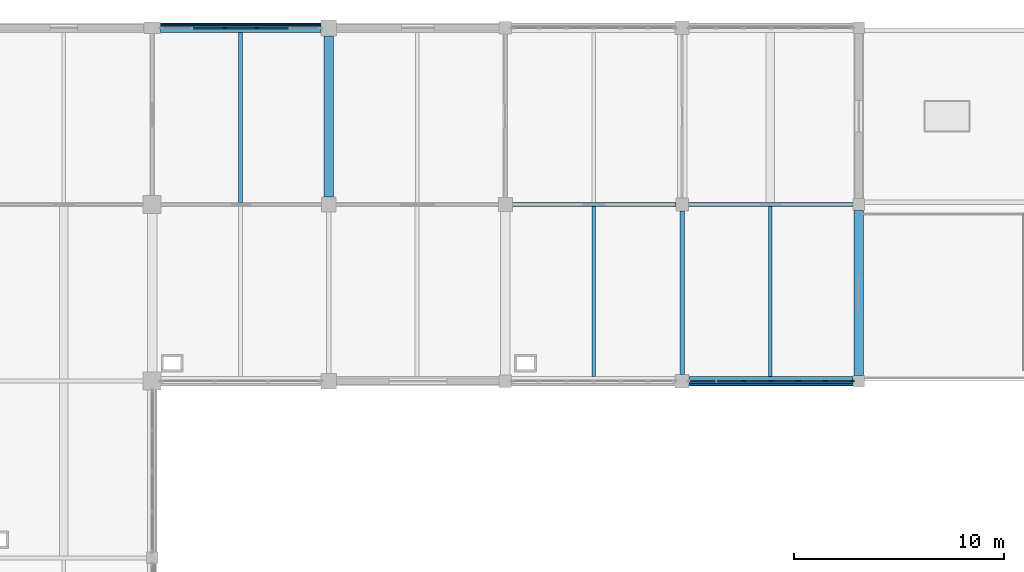
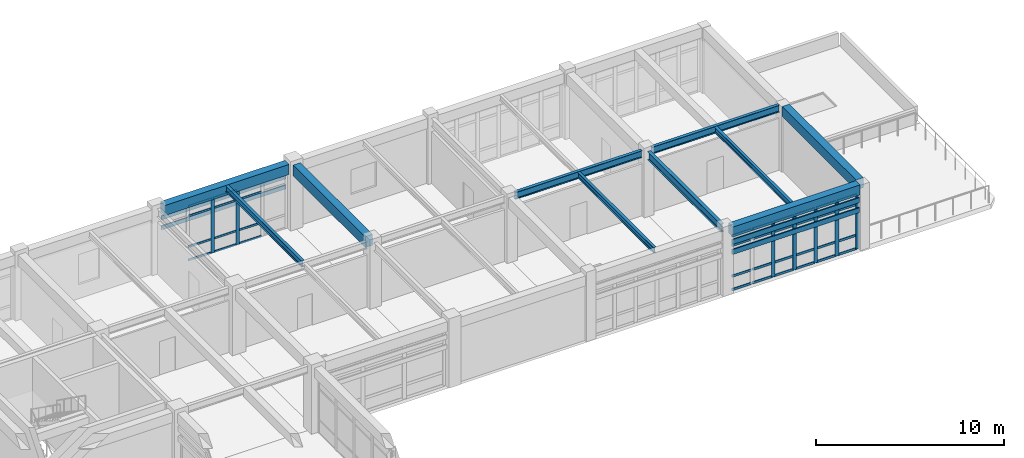
# One storey, part 39 of 78: 46 members, 10 beams, 2 elements without a shape of their own.
"""IFC4 building model written with IfcOpenShell, lengths in metres."""

from ifc_helpers import new_model, si_unit, direction, frame, origin, origin_2d, place, context, subcontext, project, spatial, rectangle, i_section, extrude, material, layer, layer_set, material_profile, profile_set, type_object, element, aggregate, save


model = new_model("IFC4")

# Units and contexts
model_context = context("Model", 3, precision=1e-05, world=origin(), true_north=direction((0.0, 1.0)))
body_context = subcontext(model_context, "Body", "Model", "MODEL_VIEW")
ifc_project = project(units=[si_unit("LENGTHUNIT", "METRE"), si_unit("AREAUNIT", "SQUARE_METRE"), si_unit("VOLUMEUNIT", "CUBIC_METRE"), si_unit("PLANEANGLEUNIT", "RADIAN"), si_unit("MASSUNIT", "GRAM", prefix="KILO")], contexts=[model_context])

# Site, building, storey
site_placement = place(None, origin())
site = spatial("IfcSite", under=ifc_project, at=site_placement, CompositionType="ELEMENT")
building_placement = place(site_placement, origin())
building = spatial("IfcBuilding", under=site, at=building_placement, Name="Porcellanite Civic Hall", CompositionType="ELEMENT")
storey_placement = place(building_placement, frame((0.0, 0.0, 10.260009765625)))
storey = spatial("IfcBuildingStorey", under=building, at=storey_placement, Name="L02", CompositionType="ELEMENT", Elevation=10.260009765625)

# Beams
ifc_material_1 = material(Name="Concrete N50 (50 MPa)", Category="concrete")
ifc_material_profile_1 = material_profile(ifc_material_1, rectangle(XDim=0.449951171875, YDim=0.64990234375, at=origin_2d()), Name="RC-450x650")
ifc_profile_set_1 = profile_set([ifc_material_profile_1], Name="Concrete N50 (50 MPa)")
beam_type_1 = type_object("IfcBeamType", Name="BM-RC650", PredefinedType="SPANDREL", material=ifc_profile_set_1)
beam_1_placement = place(storey_placement, frame((126.3994140625, 117.60009765625, 3.9150390625), z_axis=(1.0, 0.0, 0.0), x_axis=(0.0, 1.0, 0.0)))
element("IfcBeam", 1, at=beam_1_placement, inside=storey, type_object=beam_type_1, Name="Beam X L02 16-15", PredefinedType="SPANDREL", context=body_context, shape_type="SweptSolid", body=[
    extrude(rectangle(XDim=0.449951171875, YDim=0.64990234375, at=origin_2d()), origin(), (0.0, 0.0, 1.0), 7.6259765625),
])
beam_2_placement = place(storey_placement, frame((151.5244140625, 100.800048828125, 3.9150390625), z_axis=(1.0, 0.0, 0.0), x_axis=(0.0, 1.0, 0.0)))
element("IfcBeam", 2, at=beam_2_placement, inside=storey, type_object=beam_type_1, Name="Beam X L02 19-13", PredefinedType="SPANDREL", context=body_context, shape_type="SweptSolid", body=[
    extrude(rectangle(XDim=0.449951171875, YDim=0.64990234375, at=origin_2d()), origin(), (0.0, 0.0, 1.0), 7.801025390625),
])
beam_3_placement = place(storey_placement, frame((159.60009765625, 101.074462890625, 3.9150390625), z_axis=(0.0, 1.0, 0.0), x_axis=(-1.0, 0.0, 0.0)))
element("IfcBeam", 3, at=beam_3_placement, inside=storey, type_object=beam_type_1, Name="Beam Y L02 20-13", PredefinedType="SPANDREL", context=body_context, shape_type="SweptSolid", body=[
    extrude(rectangle(XDim=0.449951171875, YDim=0.64990234375, at=origin_2d()), origin(), (0.0, 0.0, 1.0), 7.85107421875),
])
ifc_material_2 = material(Name="Concrete N50 (50 MPa)", Category="concrete")
ifc_material_profile_2 = material_profile(ifc_material_2, rectangle(XDim=0.449951171875, YDim=0.699951171875, at=origin_2d()), Name="RC-450x700")
ifc_profile_set_2 = profile_set([ifc_material_profile_2], Name="Concrete N50 (50 MPa)")
beam_type_2 = type_object("IfcBeamType", Name="BM-RC700", PredefinedType="BEAM", material=ifc_profile_set_2)
beam_4_placement = place(storey_placement, frame((134.39990234375, 109.549560546875, 3.889892578125), z_axis=(0.0, 1.0, 0.0), x_axis=(-1.0, 0.0, 0.0)))
element("IfcBeam", 4, at=beam_4_placement, inside=storey, type_object=beam_type_2, Name="Beam Y L02 17-14", PredefinedType="BEAM", context=body_context, shape_type="SweptSolid", body=[
    extrude(rectangle(XDim=0.449951171875, YDim=0.699951171875, at=origin_2d()), origin(), (0.0, 0.0, 1.0), 7.676025390625),
])

# Curtain wall, members
ifc_material_3 = material(Name="Anodised aluminium and solar laminated glass", Category="aluminium")
ifc_layer_1 = layer(ifc_material_3, 0.179931640625)
ifc_layer_set_1 = layer_set([ifc_layer_1], Name="Anodised aluminium and solar laminated glass")
curtain_wall_type_1 = type_object("IfcCurtainWallType", Name="CW-SYS02", PredefinedType="NOTDEFINED", material=ifc_layer_set_1)
curtain_wall_1_placement = place(storey_placement, origin())
curtain_wall_1 = element("IfcCurtainWall", 5, at=curtain_wall_1_placement, inside=storey, type_object=curtain_wall_type_1, Name="Curtain wall CW-179", PredefinedType="NOTDEFINED")
ifc_material_4 = material(Name="Anodised aluminium 6063-T6", Category="aluminium")
ifc_material_profile_3 = material_profile(ifc_material_4, rectangle(XDim=0.074951171875, YDim=0.219970703125, at=origin_2d()), Name="AL-75x220")
ifc_profile_set_3 = profile_set([ifc_material_profile_3], Name="Anodised aluminium 6063-T6")
member_type_1 = type_object("IfcMemberType", Name="CWM-03", PredefinedType="MULLION", material=ifc_profile_set_3)
member_1_placement = place(storey_placement, frame((159.28662109375, 100.800048828125, 0.0), z_axis=(0.0, 0.0, 1.0), x_axis=(0.0, -1.0, 0.0)))
member_1 = element("IfcMember", 6, at=member_1_placement, type_object=member_type_1, Name="CW-179 mullion 1", PredefinedType="MULLION", context=body_context, shape_type="SweptSolid", body=[
    extrude(rectangle(XDim=0.074951171875, YDim=0.219970703125, at=origin_2d()), origin(), (0.0, 0.0, 1.0), 3.5400390625),
])
member_2_placement = place(storey_placement, frame((158.0244140625, 100.800048828125, 0.0), z_axis=(0.0, 0.0, 1.0), x_axis=(0.0, -1.0, 0.0)))
member_2 = element("IfcMember", 7, at=member_2_placement, type_object=member_type_1, Name="CW-179 mullion 2", PredefinedType="MULLION", context=body_context, shape_type="SweptSolid", body=[
    extrude(rectangle(XDim=0.074951171875, YDim=0.219970703125, at=origin_2d()), origin(), (0.0, 0.0, 1.0), 3.5400390625),
])
member_3_placement = place(storey_placement, frame((156.724609375, 100.800048828125, 0.0), z_axis=(0.0, 0.0, 1.0), x_axis=(0.0, -1.0, 0.0)))
member_3 = element("IfcMember", 8, at=member_3_placement, type_object=member_type_1, Name="CW-179 mullion 3", PredefinedType="MULLION", context=body_context, shape_type="SweptSolid", body=[
    extrude(rectangle(XDim=0.074951171875, YDim=0.219970703125, at=origin_2d()), origin(), (0.0, 0.0, 1.0), 3.5400390625),
])
member_4_placement = place(storey_placement, frame((155.425048828125, 100.800048828125, 0.0), z_axis=(0.0, 0.0, 1.0), x_axis=(0.0, -1.0, 0.0)))
member_4 = element("IfcMember", 9, at=member_4_placement, type_object=member_type_1, Name="CW-179 mullion 4", PredefinedType="MULLION", context=body_context, shape_type="SweptSolid", body=[
    extrude(rectangle(XDim=0.074951171875, YDim=0.219970703125, at=origin_2d()), origin(), (0.0, 0.0, 1.0), 3.5400390625),
])
member_5_placement = place(storey_placement, frame((154.125244140625, 100.800048828125, 0.0), z_axis=(0.0, 0.0, 1.0), x_axis=(0.0, -1.0, 0.0)))
member_5 = element("IfcMember", 10, at=member_5_placement, type_object=member_type_1, Name="CW-179 mullion 5", PredefinedType="MULLION", context=body_context, shape_type="SweptSolid", body=[
    extrude(rectangle(XDim=0.074951171875, YDim=0.219970703125, at=origin_2d()), origin(), (0.0, 0.0, 1.0), 3.5400390625),
])

ifc_material_5 = material(Name="Anodised aluminium and solar laminated glass", Category="aluminium")
ifc_layer_2 = layer(ifc_material_5, 0.179931640625)
ifc_layer_set_2 = layer_set([ifc_layer_2], Name="Anodised aluminium and solar laminated glass")
curtain_wall_type_2 = type_object("IfcCurtainWallType", Name="CW-SYS01", PredefinedType="NOTDEFINED", material=ifc_layer_set_2)
curtain_wall_2_placement = place(storey_placement, origin())
curtain_wall_2 = element("IfcCurtainWall", 11, at=curtain_wall_2_placement, inside=storey, type_object=curtain_wall_type_2, Name="Curtain wall CW-173", PredefinedType="NOTDEFINED")
ifc_material_6 = material(Name="Anodised aluminium 6063-T6", Category="aluminium")
ifc_material_profile_4 = material_profile(ifc_material_6, rectangle(XDim=0.070068359375, YDim=0.199951171875, at=origin_2d()), Name="AL-70x200")
ifc_profile_set_4 = profile_set([ifc_material_profile_4], Name="Anodised aluminium 6063-T6")
member_type_2 = type_object("IfcMemberType", Name="CWM-05", PredefinedType="MULLION", material=ifc_profile_set_4)
member_6_placement = place(storey_placement, frame((129.4501953125, 117.60009765625, 0.0), z_axis=(0.0, 0.0, 1.0), x_axis=(0.0, 1.0, 0.0)))
member_6 = element("IfcMember", 12, at=member_6_placement, type_object=member_type_2, Name="CW-173 mullion 3", PredefinedType="MULLION", context=body_context, shape_type="SweptSolid", body=[
    extrude(rectangle(XDim=0.070068359375, YDim=0.199951171875, at=origin_2d()), origin(), (0.0, 0.0, 1.0), 3.5400390625),
])
member_7_placement = place(storey_placement, frame((130.974853515625, 117.60009765625, 0.0), z_axis=(0.0, 0.0, 1.0), x_axis=(0.0, 1.0, 0.0)))
member_7 = element("IfcMember", 13, at=member_7_placement, type_object=member_type_2, Name="CW-173 mullion 4", PredefinedType="MULLION", context=body_context, shape_type="SweptSolid", body=[
    extrude(rectangle(XDim=0.070068359375, YDim=0.199951171875, at=origin_2d()), origin(), (0.0, 0.0, 1.0), 3.5400390625),
])

# Member
ifc_material_7 = material(Name="Anodised aluminium 6063-T6", Category="aluminium")
ifc_material_profile_5 = material_profile(ifc_material_7, rectangle(XDim=0.06494140625, YDim=0.14990234375, at=origin_2d()), Name="AL-65x150")
ifc_profile_set_5 = profile_set([ifc_material_profile_5], Name="Anodised aluminium 6063-T6")
member_type_3 = type_object("IfcMemberType", Name="CWT-02", PredefinedType="USERDEFINED", material=ifc_profile_set_5)
member_8_placement = place(storey_placement, frame((159.2490234375, 100.800048828125, 0.032470703125), z_axis=(-1.0, 0.0, 0.0), x_axis=(0.0, -1.0, 0.0)))
member_8 = element("IfcMember", 14, at=member_8_placement, type_object=member_type_3, Name="CW-179 transom 1.1", ObjectType="TRANSOM", PredefinedType="USERDEFINED", context=body_context, shape_type="SweptSolid", body=[
    extrude(rectangle(XDim=0.06494140625, YDim=0.14990234375, at=origin_2d()), origin(), (0.0, 0.0, 1.0), 1.187255859375),
])

member_9_placement = place(storey_placement, frame((159.2490234375, 100.800048828125, 0.89990234375), z_axis=(-1.0, 0.0, 0.0), x_axis=(0.0, -1.0, 0.0)))
member_9 = element("IfcMember", 15, at=member_9_placement, type_object=member_type_3, Name="CW-179 transom 1.2", ObjectType="TRANSOM", PredefinedType="USERDEFINED", context=body_context, shape_type="SweptSolid", body=[
    extrude(rectangle(XDim=0.06494140625, YDim=0.14990234375, at=origin_2d()), origin(), (0.0, 0.0, 1.0), 1.187255859375),
])

member_10_placement = place(storey_placement, frame((159.2490234375, 100.800048828125, 2.889892578125), z_axis=(-1.0, 0.0, 0.0), x_axis=(0.0, -1.0, 0.0)))
member_10 = element("IfcMember", 16, at=member_10_placement, type_object=member_type_3, Name="CW-179 transom 1.3", ObjectType="TRANSOM", PredefinedType="USERDEFINED", context=body_context, shape_type="SweptSolid", body=[
    extrude(rectangle(XDim=0.06494140625, YDim=0.14990234375, at=origin_2d()), origin(), (0.0, 0.0, 1.0), 1.187255859375),
])

member_11_placement = place(storey_placement, frame((159.2490234375, 100.800048828125, 3.507568359375), z_axis=(-1.0, 0.0, 0.0), x_axis=(0.0, -1.0, 0.0)))
member_11 = element("IfcMember", 17, at=member_11_placement, type_object=member_type_3, Name="CW-179 transom 1.4", ObjectType="TRANSOM", PredefinedType="USERDEFINED", context=body_context, shape_type="SweptSolid", body=[
    extrude(rectangle(XDim=0.06494140625, YDim=0.14990234375, at=origin_2d()), origin(), (0.0, 0.0, 1.0), 1.187255859375),
])

member_12_placement = place(storey_placement, frame((157.98681640625, 100.800048828125, 0.032470703125), z_axis=(-1.0, 0.0, 0.0), x_axis=(0.0, -1.0, 0.0)))
member_12 = element("IfcMember", 18, at=member_12_placement, type_object=member_type_3, Name="CW-179 transom 2.1", ObjectType="TRANSOM", PredefinedType="USERDEFINED", context=body_context, shape_type="SweptSolid", body=[
    extrude(rectangle(XDim=0.06494140625, YDim=0.14990234375, at=origin_2d()), origin(), (0.0, 0.0, 1.0), 1.224609375),
])

member_13_placement = place(storey_placement, frame((157.98681640625, 100.800048828125, 0.89990234375), z_axis=(-1.0, 0.0, 0.0), x_axis=(0.0, -1.0, 0.0)))
member_13 = element("IfcMember", 19, at=member_13_placement, type_object=member_type_3, Name="CW-179 transom 2.2", ObjectType="TRANSOM", PredefinedType="USERDEFINED", context=body_context, shape_type="SweptSolid", body=[
    extrude(rectangle(XDim=0.06494140625, YDim=0.14990234375, at=origin_2d()), origin(), (0.0, 0.0, 1.0), 1.224609375),
])

member_14_placement = place(storey_placement, frame((157.98681640625, 100.800048828125, 2.889892578125), z_axis=(-1.0, 0.0, 0.0), x_axis=(0.0, -1.0, 0.0)))
member_14 = element("IfcMember", 20, at=member_14_placement, type_object=member_type_3, Name="CW-179 transom 2.3", ObjectType="TRANSOM", PredefinedType="USERDEFINED", context=body_context, shape_type="SweptSolid", body=[
    extrude(rectangle(XDim=0.06494140625, YDim=0.14990234375, at=origin_2d()), origin(), (0.0, 0.0, 1.0), 1.224609375),
])

member_15_placement = place(storey_placement, frame((157.98681640625, 100.800048828125, 3.507568359375), z_axis=(-1.0, 0.0, 0.0), x_axis=(0.0, -1.0, 0.0)))
member_15 = element("IfcMember", 21, at=member_15_placement, type_object=member_type_3, Name="CW-179 transom 2.4", ObjectType="TRANSOM", PredefinedType="USERDEFINED", context=body_context, shape_type="SweptSolid", body=[
    extrude(rectangle(XDim=0.06494140625, YDim=0.14990234375, at=origin_2d()), origin(), (0.0, 0.0, 1.0), 1.224609375),
])

member_16_placement = place(storey_placement, frame((156.687255859375, 100.800048828125, 0.032470703125), z_axis=(-1.0, 0.0, 0.0), x_axis=(0.0, -1.0, 0.0)))
member_16 = element("IfcMember", 22, at=member_16_placement, type_object=member_type_3, Name="CW-179 transom 3.1", ObjectType="TRANSOM", PredefinedType="USERDEFINED", context=body_context, shape_type="SweptSolid", body=[
    extrude(rectangle(XDim=0.06494140625, YDim=0.14990234375, at=origin_2d()), origin(), (0.0, 0.0, 1.0), 1.224853515625),
])

member_17_placement = place(storey_placement, frame((156.687255859375, 100.800048828125, 0.89990234375), z_axis=(-1.0, 0.0, 0.0), x_axis=(0.0, -1.0, 0.0)))
member_17 = element("IfcMember", 23, at=member_17_placement, type_object=member_type_3, Name="CW-179 transom 3.2", ObjectType="TRANSOM", PredefinedType="USERDEFINED", context=body_context, shape_type="SweptSolid", body=[
    extrude(rectangle(XDim=0.06494140625, YDim=0.14990234375, at=origin_2d()), origin(), (0.0, 0.0, 1.0), 1.224853515625),
])

member_18_placement = place(storey_placement, frame((156.687255859375, 100.800048828125, 2.889892578125), z_axis=(-1.0, 0.0, 0.0), x_axis=(0.0, -1.0, 0.0)))
member_18 = element("IfcMember", 24, at=member_18_placement, type_object=member_type_3, Name="CW-179 transom 3.3", ObjectType="TRANSOM", PredefinedType="USERDEFINED", context=body_context, shape_type="SweptSolid", body=[
    extrude(rectangle(XDim=0.06494140625, YDim=0.14990234375, at=origin_2d()), origin(), (0.0, 0.0, 1.0), 1.224853515625),
])

member_19_placement = place(storey_placement, frame((156.687255859375, 100.800048828125, 3.507568359375), z_axis=(-1.0, 0.0, 0.0), x_axis=(0.0, -1.0, 0.0)))
member_19 = element("IfcMember", 25, at=member_19_placement, type_object=member_type_3, Name="CW-179 transom 3.4", ObjectType="TRANSOM", PredefinedType="USERDEFINED", context=body_context, shape_type="SweptSolid", body=[
    extrude(rectangle(XDim=0.06494140625, YDim=0.14990234375, at=origin_2d()), origin(), (0.0, 0.0, 1.0), 1.224853515625),
])

member_20_placement = place(storey_placement, frame((155.387451171875, 100.800048828125, 0.032470703125), z_axis=(-1.0, 0.0, 0.0), x_axis=(0.0, -1.0, 0.0)))
member_20 = element("IfcMember", 26, at=member_20_placement, type_object=member_type_3, Name="CW-179 transom 4.1", ObjectType="TRANSOM", PredefinedType="USERDEFINED", context=body_context, shape_type="SweptSolid", body=[
    extrude(rectangle(XDim=0.06494140625, YDim=0.14990234375, at=origin_2d()), origin(), (0.0, 0.0, 1.0), 1.224609375),
])

member_21_placement = place(storey_placement, frame((155.387451171875, 100.800048828125, 0.89990234375), z_axis=(-1.0, 0.0, 0.0), x_axis=(0.0, -1.0, 0.0)))
member_21 = element("IfcMember", 27, at=member_21_placement, type_object=member_type_3, Name="CW-179 transom 4.2", ObjectType="TRANSOM", PredefinedType="USERDEFINED", context=body_context, shape_type="SweptSolid", body=[
    extrude(rectangle(XDim=0.06494140625, YDim=0.14990234375, at=origin_2d()), origin(), (0.0, 0.0, 1.0), 1.224609375),
])

member_22_placement = place(storey_placement, frame((155.387451171875, 100.800048828125, 2.889892578125), z_axis=(-1.0, 0.0, 0.0), x_axis=(0.0, -1.0, 0.0)))
member_22 = element("IfcMember", 28, at=member_22_placement, type_object=member_type_3, Name="CW-179 transom 4.3", ObjectType="TRANSOM", PredefinedType="USERDEFINED", context=body_context, shape_type="SweptSolid", body=[
    extrude(rectangle(XDim=0.06494140625, YDim=0.14990234375, at=origin_2d()), origin(), (0.0, 0.0, 1.0), 1.224609375),
])

member_23_placement = place(storey_placement, frame((155.387451171875, 100.800048828125, 3.507568359375), z_axis=(-1.0, 0.0, 0.0), x_axis=(0.0, -1.0, 0.0)))
member_23 = element("IfcMember", 29, at=member_23_placement, type_object=member_type_3, Name="CW-179 transom 4.4", ObjectType="TRANSOM", PredefinedType="USERDEFINED", context=body_context, shape_type="SweptSolid", body=[
    extrude(rectangle(XDim=0.06494140625, YDim=0.14990234375, at=origin_2d()), origin(), (0.0, 0.0, 1.0), 1.224609375),
])

member_24_placement = place(storey_placement, frame((154.087890625, 100.800048828125, 0.032470703125), z_axis=(-1.0, 0.0, 0.0), x_axis=(0.0, -1.0, 0.0)))
member_24 = element("IfcMember", 30, at=member_24_placement, type_object=member_type_3, Name="CW-179 transom 5.1", ObjectType="TRANSOM", PredefinedType="USERDEFINED", context=body_context, shape_type="SweptSolid", body=[
    extrude(rectangle(XDim=0.06494140625, YDim=0.14990234375, at=origin_2d()), origin(), (0.0, 0.0, 1.0), 1.224609375),
])

member_25_placement = place(storey_placement, frame((154.087890625, 100.800048828125, 0.89990234375), z_axis=(-1.0, 0.0, 0.0), x_axis=(0.0, -1.0, 0.0)))
member_25 = element("IfcMember", 31, at=member_25_placement, type_object=member_type_3, Name="CW-179 transom 5.2", ObjectType="TRANSOM", PredefinedType="USERDEFINED", context=body_context, shape_type="SweptSolid", body=[
    extrude(rectangle(XDim=0.06494140625, YDim=0.14990234375, at=origin_2d()), origin(), (0.0, 0.0, 1.0), 1.224609375),
])

member_26_placement = place(storey_placement, frame((154.087890625, 100.800048828125, 2.889892578125), z_axis=(-1.0, 0.0, 0.0), x_axis=(0.0, -1.0, 0.0)))
member_26 = element("IfcMember", 32, at=member_26_placement, type_object=member_type_3, Name="CW-179 transom 5.3", ObjectType="TRANSOM", PredefinedType="USERDEFINED", context=body_context, shape_type="SweptSolid", body=[
    extrude(rectangle(XDim=0.06494140625, YDim=0.14990234375, at=origin_2d()), origin(), (0.0, 0.0, 1.0), 1.224609375),
])

member_27_placement = place(storey_placement, frame((154.087890625, 100.800048828125, 3.507568359375), z_axis=(-1.0, 0.0, 0.0), x_axis=(0.0, -1.0, 0.0)))
member_27 = element("IfcMember", 33, at=member_27_placement, type_object=member_type_3, Name="CW-179 transom 5.4", ObjectType="TRANSOM", PredefinedType="USERDEFINED", context=body_context, shape_type="SweptSolid", body=[
    extrude(rectangle(XDim=0.06494140625, YDim=0.14990234375, at=origin_2d()), origin(), (0.0, 0.0, 1.0), 1.224609375),
])

member_28_placement = place(storey_placement, frame((152.7880859375, 100.800048828125, 0.032470703125), z_axis=(-1.0, 0.0, 0.0), x_axis=(0.0, -1.0, 0.0)))
member_28 = element("IfcMember", 34, at=member_28_placement, type_object=member_type_3, Name="CW-179 transom 6.1", ObjectType="TRANSOM", PredefinedType="USERDEFINED", context=body_context, shape_type="SweptSolid", body=[
    extrude(rectangle(XDim=0.06494140625, YDim=0.14990234375, at=origin_2d()), origin(), (0.0, 0.0, 1.0), 1.18701171875),
])

member_29_placement = place(storey_placement, frame((152.7880859375, 100.800048828125, 0.89990234375), z_axis=(-1.0, 0.0, 0.0), x_axis=(0.0, -1.0, 0.0)))
member_29 = element("IfcMember", 35, at=member_29_placement, type_object=member_type_3, Name="CW-179 transom 6.2", ObjectType="TRANSOM", PredefinedType="USERDEFINED", context=body_context, shape_type="SweptSolid", body=[
    extrude(rectangle(XDim=0.06494140625, YDim=0.14990234375, at=origin_2d()), origin(), (0.0, 0.0, 1.0), 1.18701171875),
])

member_30_placement = place(storey_placement, frame((152.7880859375, 100.800048828125, 2.889892578125), z_axis=(-1.0, 0.0, 0.0), x_axis=(0.0, -1.0, 0.0)))
member_30 = element("IfcMember", 36, at=member_30_placement, type_object=member_type_3, Name="CW-179 transom 6.3", ObjectType="TRANSOM", PredefinedType="USERDEFINED", context=body_context, shape_type="SweptSolid", body=[
    extrude(rectangle(XDim=0.06494140625, YDim=0.14990234375, at=origin_2d()), origin(), (0.0, 0.0, 1.0), 1.18701171875),
])

member_31_placement = place(storey_placement, frame((152.7880859375, 100.800048828125, 3.507568359375), z_axis=(-1.0, 0.0, 0.0), x_axis=(0.0, -1.0, 0.0)))
member_31 = element("IfcMember", 37, at=member_31_placement, type_object=member_type_3, Name="CW-179 transom 6.4", ObjectType="TRANSOM", PredefinedType="USERDEFINED", context=body_context, shape_type="SweptSolid", body=[
    extrude(rectangle(XDim=0.06494140625, YDim=0.14990234375, at=origin_2d()), origin(), (0.0, 0.0, 1.0), 1.18701171875),
])

aggregate(curtain_wall_1, [member_1, member_2, member_3, member_4, member_5, member_8, member_9, member_10, member_11, member_12, member_13, member_14, member_15, member_16, member_17, member_18, member_19, member_20, member_21, member_22, member_23, member_24, member_25, member_26, member_27, member_28, member_29, member_30, member_31])

ifc_material_8 = material(Name="Anodised aluminium 6063-T6", Category="aluminium")
ifc_material_profile_6 = material_profile(ifc_material_8, rectangle(XDim=0.06005859375, YDim=0.1298828125, at=origin_2d()), Name="AL-60x130")
ifc_profile_set_6 = profile_set([ifc_material_profile_6], Name="Anodised aluminium 6063-T6")
member_type_4 = type_object("IfcMemberType", Name="CWT-03", PredefinedType="USERDEFINED", material=ifc_profile_set_6)
member_32_placement = place(storey_placement, frame((127.960693359375, 117.60009765625, 0.030029296875), z_axis=(1.0, 0.0, 0.0), x_axis=(0.0, 1.0, 0.0)))
member_32 = element("IfcMember", 38, at=member_32_placement, type_object=member_type_4, Name="CW-173 transom 2.1", ObjectType="TRANSOM", PredefinedType="USERDEFINED", context=body_context, shape_type="SweptSolid", body=[
    extrude(rectangle(XDim=0.06005859375, YDim=0.1298828125, at=origin_2d()), origin(), (0.0, 0.0, 1.0), 1.45458984375),
])

member_33_placement = place(storey_placement, frame((127.960693359375, 117.60009765625, 0.89990234375), z_axis=(1.0, 0.0, 0.0), x_axis=(0.0, 1.0, 0.0)))
member_33 = element("IfcMember", 39, at=member_33_placement, type_object=member_type_4, Name="CW-173 transom 2.2", ObjectType="TRANSOM", PredefinedType="USERDEFINED", context=body_context, shape_type="SweptSolid", body=[
    extrude(rectangle(XDim=0.06005859375, YDim=0.1298828125, at=origin_2d()), origin(), (0.0, 0.0, 1.0), 1.45458984375),
])

member_34_placement = place(storey_placement, frame((127.960693359375, 117.60009765625, 2.889892578125), z_axis=(1.0, 0.0, 0.0), x_axis=(0.0, 1.0, 0.0)))
member_34 = element("IfcMember", 40, at=member_34_placement, type_object=member_type_4, Name="CW-173 transom 2.3", ObjectType="TRANSOM", PredefinedType="USERDEFINED", context=body_context, shape_type="SweptSolid", body=[
    extrude(rectangle(XDim=0.06005859375, YDim=0.1298828125, at=origin_2d()), origin(), (0.0, 0.0, 1.0), 1.45458984375),
])

member_35_placement = place(storey_placement, frame((127.960693359375, 117.60009765625, 3.510009765625), z_axis=(1.0, 0.0, 0.0), x_axis=(0.0, 1.0, 0.0)))
member_35 = element("IfcMember", 41, at=member_35_placement, type_object=member_type_4, Name="CW-173 transom 2.4", ObjectType="TRANSOM", PredefinedType="USERDEFINED", context=body_context, shape_type="SweptSolid", body=[
    extrude(rectangle(XDim=0.06005859375, YDim=0.1298828125, at=origin_2d()), origin(), (0.0, 0.0, 1.0), 1.45458984375),
])

member_36_placement = place(storey_placement, frame((129.485107421875, 117.60009765625, 0.030029296875), z_axis=(1.0, 0.0, 0.0), x_axis=(0.0, 1.0, 0.0)))
member_36 = element("IfcMember", 42, at=member_36_placement, type_object=member_type_4, Name="CW-173 transom 3.1", ObjectType="TRANSOM", PredefinedType="USERDEFINED", context=body_context, shape_type="SweptSolid", body=[
    extrude(rectangle(XDim=0.06005859375, YDim=0.1298828125, at=origin_2d()), origin(), (0.0, 0.0, 1.0), 1.45458984375),
])

member_37_placement = place(storey_placement, frame((129.485107421875, 117.60009765625, 0.89990234375), z_axis=(1.0, 0.0, 0.0), x_axis=(0.0, 1.0, 0.0)))
member_37 = element("IfcMember", 43, at=member_37_placement, type_object=member_type_4, Name="CW-173 transom 3.2", ObjectType="TRANSOM", PredefinedType="USERDEFINED", context=body_context, shape_type="SweptSolid", body=[
    extrude(rectangle(XDim=0.06005859375, YDim=0.1298828125, at=origin_2d()), origin(), (0.0, 0.0, 1.0), 1.45458984375),
])

member_38_placement = place(storey_placement, frame((129.485107421875, 117.60009765625, 2.889892578125), z_axis=(1.0, 0.0, 0.0), x_axis=(0.0, 1.0, 0.0)))
member_38 = element("IfcMember", 44, at=member_38_placement, type_object=member_type_4, Name="CW-173 transom 3.3", ObjectType="TRANSOM", PredefinedType="USERDEFINED", context=body_context, shape_type="SweptSolid", body=[
    extrude(rectangle(XDim=0.06005859375, YDim=0.1298828125, at=origin_2d()), origin(), (0.0, 0.0, 1.0), 1.45458984375),
])

member_39_placement = place(storey_placement, frame((129.485107421875, 117.60009765625, 3.510009765625), z_axis=(1.0, 0.0, 0.0), x_axis=(0.0, 1.0, 0.0)))
member_39 = element("IfcMember", 45, at=member_39_placement, type_object=member_type_4, Name="CW-173 transom 3.4", ObjectType="TRANSOM", PredefinedType="USERDEFINED", context=body_context, shape_type="SweptSolid", body=[
    extrude(rectangle(XDim=0.06005859375, YDim=0.1298828125, at=origin_2d()), origin(), (0.0, 0.0, 1.0), 1.45458984375),
])

member_40_placement = place(storey_placement, frame((131.009765625, 117.60009765625, 0.030029296875), z_axis=(1.0, 0.0, 0.0), x_axis=(0.0, 1.0, 0.0)))
member_40 = element("IfcMember", 46, at=member_40_placement, type_object=member_type_4, Name="CW-173 transom 4.1", ObjectType="TRANSOM", PredefinedType="USERDEFINED", context=body_context, shape_type="SweptSolid", body=[
    extrude(rectangle(XDim=0.06005859375, YDim=0.1298828125, at=origin_2d()), origin(), (0.0, 0.0, 1.0), 1.45458984375),
])

member_41_placement = place(storey_placement, frame((131.009765625, 117.60009765625, 0.89990234375), z_axis=(1.0, 0.0, 0.0), x_axis=(0.0, 1.0, 0.0)))
member_41 = element("IfcMember", 47, at=member_41_placement, type_object=member_type_4, Name="CW-173 transom 4.2", ObjectType="TRANSOM", PredefinedType="USERDEFINED", context=body_context, shape_type="SweptSolid", body=[
    extrude(rectangle(XDim=0.06005859375, YDim=0.1298828125, at=origin_2d()), origin(), (0.0, 0.0, 1.0), 1.45458984375),
])

member_42_placement = place(storey_placement, frame((131.009765625, 117.60009765625, 2.889892578125), z_axis=(1.0, 0.0, 0.0), x_axis=(0.0, 1.0, 0.0)))
member_42 = element("IfcMember", 48, at=member_42_placement, type_object=member_type_4, Name="CW-173 transom 4.3", ObjectType="TRANSOM", PredefinedType="USERDEFINED", context=body_context, shape_type="SweptSolid", body=[
    extrude(rectangle(XDim=0.06005859375, YDim=0.1298828125, at=origin_2d()), origin(), (0.0, 0.0, 1.0), 1.45458984375),
])

aggregate(curtain_wall_2, [member_6, member_7, member_32, member_33, member_34, member_35, member_36, member_37, member_38, member_39, member_40, member_41, member_42])

# Beams
ifc_material_9 = material(Name="Steel Grade 350", Category="steel")
ifc_material_profile_7 = material_profile(ifc_material_9, i_section(OverallWidth=0.1708984375, OverallDepth=0.35595703125, WebThickness=0.00732421875, FlangeThickness=0.011474609375, FilletRadius=0.011474609375, at=origin_2d()), Name="360UB50.7")
ifc_profile_set_7 = profile_set([ifc_material_profile_7], Name="Steel Grade 350")
beam_type_3 = type_object("IfcBeamType", Name="JST-360UB51", PredefinedType="JOIST", material=ifc_profile_set_7)
beam_5_placement = place(storey_placement, frame((155.39990234375, 101.0244140625, 4.06201171875), z_axis=(0.0, 1.0, 0.0), x_axis=(-1.0, 0.0, 0.0)))
element("IfcBeam", 49, at=beam_5_placement, inside=storey, type_object=beam_type_3, Name="Secondary joist L02 19-13", PredefinedType="JOIST", context=body_context, shape_type="SweptSolid", body=[
    extrude(i_section(OverallWidth=0.1708984375, OverallDepth=0.35595703125, WebThickness=0.00732421875, FlangeThickness=0.011474609375, FilletRadius=0.011474609375, at=origin_2d()), origin(), (0.0, 0.0, 1.0), 8.0810546875),
])
ifc_material_10 = material(Name="Steel Grade 350", Category="steel")
ifc_material_profile_8 = material_profile(ifc_material_10, i_section(OverallWidth=0.172119140625, OverallDepth=0.35888671875, WebThickness=0.008056640625, FlangeThickness=0.012939453125, FilletRadius=0.011474609375, at=origin_2d()), Name="360UB56.7")
ifc_profile_set_8 = profile_set([ifc_material_profile_8], Name="Steel Grade 350")
beam_type_4 = type_object("IfcBeamType", Name="JST-360UB57", PredefinedType="JOIST", material=ifc_profile_set_8)
beam_6_placement = place(storey_placement, frame((147.0, 101.0244140625, 4.060546875), z_axis=(0.0, 1.0, 0.0), x_axis=(-1.0, 0.0, 0.0)))
element("IfcBeam", 50, at=beam_6_placement, inside=storey, type_object=beam_type_4, Name="Secondary joist L02 18-13", PredefinedType="JOIST", context=body_context, shape_type="SweptSolid", body=[
    extrude(i_section(OverallWidth=0.172119140625, OverallDepth=0.35888671875, WebThickness=0.008056640625, FlangeThickness=0.012939453125, FilletRadius=0.011474609375, at=origin_2d()), origin(), (0.0, 0.0, 1.0), 8.0810546875),
])
ifc_material_11 = material(Name="Steel Grade 350", Category="steel")
ifc_material_profile_9 = material_profile(ifc_material_11, i_section(OverallWidth=0.177978515625, OverallDepth=0.403076171875, WebThickness=0.007568359375, FlangeThickness=0.010986328125, FilletRadius=0.011474609375, at=origin_2d()), Name="410UB53.7")
ifc_profile_set_9 = profile_set([ifc_material_profile_9], Name="Steel Grade 350")
beam_type_5 = type_object("IfcBeamType", Name="JST-410UB54", PredefinedType="JOIST", material=ifc_profile_set_9)
beam_7_placement = place(storey_placement, frame((130.199951171875, 109.29443359375, 4.03857421875), z_axis=(0.0, 1.0, 0.0), x_axis=(-1.0, 0.0, 0.0)))
element("IfcBeam", 51, at=beam_7_placement, inside=storey, type_object=beam_type_5, Name="Secondary joist L02 16-14", PredefinedType="JOIST", context=body_context, shape_type="SweptSolid", body=[
    extrude(i_section(OverallWidth=0.177978515625, OverallDepth=0.403076171875, WebThickness=0.007568359375, FlangeThickness=0.010986328125, FilletRadius=0.011474609375, at=origin_2d()), origin(), (0.0, 0.0, 1.0), 8.0810546875),
])

# Members
ifc_material_12 = material(Name="Fluoropolymer bauxite-red aluminium 6063-T6", Category="aluminium")
ifc_material_profile_10 = material_profile(ifc_material_12, rectangle(XDim=0.080078125, YDim=0.320068359375, at=origin_2d()), Name="AL-80x320")
ifc_profile_set_10 = profile_set([ifc_material_profile_10], Name="Fluoropolymer bauxite-red aluminium 6063-T6")
member_type_5 = type_object("IfcMemberType", Name="LV-BLD03", PredefinedType="USERDEFINED", material=ifc_profile_set_10)
for number, where, z_axis, x_axis, name in (
    (52, (159.325439453125, 100.64794921875, 3.239990234375), (-1.0, 0.0, 0.0), (0.0, -1.0, 0.0), "Cyclone sunshade louvre L02 S 18-12 1"),
    (53, (159.325439453125, 100.64794921875, 2.590087890625), (-1.0, 0.0, 0.0), (0.0, -1.0, 0.0), "Cyclone sunshade louvre L02 S 18-12 2"),
):
    element("IfcMember", number, at=place(storey_placement, frame(where, z_axis=z_axis, x_axis=x_axis)), inside=storey, type_object=member_type_5, Name=name, ObjectType="LOUVRE BLADE", PredefinedType="USERDEFINED", context=body_context, shape_type="SweptSolid", body=[
        extrude(rectangle(XDim=0.080078125, YDim=0.320068359375, at=origin_2d()), origin(), (0.0, 0.0, 1.0), 7.801025390625),
    ])
ifc_material_13 = material(Name="Fluoropolymer bauxite-red aluminium 6063-T6", Category="aluminium")
ifc_material_profile_11 = material_profile(ifc_material_13, rectangle(XDim=0.070068359375, YDim=0.260009765625, at=origin_2d()), Name="AL-70x260")
ifc_profile_set_11 = profile_set([ifc_material_profile_11], Name="Fluoropolymer bauxite-red aluminium 6063-T6")
member_type_6 = type_object("IfcMemberType", Name="LV-BLD06", PredefinedType="USERDEFINED", material=ifc_profile_set_11)
for number, where, z_axis, x_axis, name in (
    (54, (126.3994140625, 117.737060546875, 3.239990234375), (1.0, 0.0, 0.0), (0.0, 1.0, 0.0), "Cyclone sunshade louvre L02 N 15-13 1"),
    (55, (126.3994140625, 117.737060546875, 2.590087890625), (1.0, 0.0, 0.0), (0.0, 1.0, 0.0), "Cyclone sunshade louvre L02 N 15-13 2"),
):
    element("IfcMember", number, at=place(storey_placement, frame(where, z_axis=z_axis, x_axis=x_axis)), inside=storey, type_object=member_type_6, Name=name, ObjectType="LOUVRE BLADE", PredefinedType="USERDEFINED", context=body_context, shape_type="SweptSolid", body=[
        extrude(rectangle(XDim=0.070068359375, YDim=0.260009765625, at=origin_2d()), origin(), (0.0, 0.0, 1.0), 7.6259765625),
    ])

# Beams
ifc_material_14 = material(Name="Steel Grade 350", Category="steel")
ifc_material_profile_12 = material_profile(ifc_material_14, i_section(OverallWidth=0.18994140625, OverallDepth=0.4541015625, WebThickness=0.008544921875, FlangeThickness=0.0126953125, FilletRadius=0.011474609375, at=origin_2d()), Name="460UB67.1")
ifc_profile_set_12 = profile_set([ifc_material_profile_12], Name="Steel Grade 350")
beam_type_6 = type_object("IfcBeamType", Name="RAF-460UB67", PredefinedType="BEAM", material=ifc_profile_set_12)
beam_8_placement = place(storey_placement, frame((143.12451171875, 109.199951171875, 4.012939453125), z_axis=(1.0, 0.0, 0.0), x_axis=(0.0, 1.0, 0.0)))
element("IfcBeam", 56, at=beam_8_placement, inside=storey, type_object=beam_type_6, Name="Beam X L02 18-14", PredefinedType="BEAM", context=body_context, shape_type="SweptSolid", body=[
    extrude(i_section(OverallWidth=0.18994140625, OverallDepth=0.4541015625, WebThickness=0.008544921875, FlangeThickness=0.0126953125, FilletRadius=0.011474609375, at=origin_2d()), origin(), (0.0, 0.0, 1.0), 7.77587890625),
])
beam_9_placement = place(storey_placement, frame((151.49951171875, 109.199951171875, 4.012939453125), z_axis=(1.0, 0.0, 0.0), x_axis=(0.0, 1.0, 0.0)))
element("IfcBeam", 57, at=beam_9_placement, inside=storey, type_object=beam_type_6, Name="Beam X L02 19-14", PredefinedType="BEAM", context=body_context, shape_type="SweptSolid", body=[
    extrude(i_section(OverallWidth=0.18994140625, OverallDepth=0.4541015625, WebThickness=0.008544921875, FlangeThickness=0.0126953125, FilletRadius=0.011474609375, at=origin_2d()), origin(), (0.0, 0.0, 1.0), 7.825927734375),
])
ifc_material_15 = material(Name="Steel Grade 350", Category="steel")
ifc_material_profile_13 = material_profile(ifc_material_15, i_section(OverallWidth=0.208984375, OverallDepth=0.528076171875, WebThickness=0.009521484375, FlangeThickness=0.01318359375, FilletRadius=0.013916015625, at=origin_2d()), Name="530UB82.0")
ifc_profile_set_13 = profile_set([ifc_material_profile_13], Name="Steel Grade 350")
beam_type_7 = type_object("IfcBeamType", Name="RAF-530UB82", PredefinedType="BEAM", material=ifc_profile_set_13)
beam_10_placement = place(storey_placement, frame((151.199951171875, 101.12451171875, 3.97607421875), z_axis=(0.0, 1.0, 0.0), x_axis=(-1.0, 0.0, 0.0)))
element("IfcBeam", 58, at=beam_10_placement, inside=storey, type_object=beam_type_7, Name="Beam Y L02 19-13", PredefinedType="BEAM", context=body_context, shape_type="SweptSolid", body=[
    extrude(i_section(OverallWidth=0.208984375, OverallDepth=0.528076171875, WebThickness=0.009521484375, FlangeThickness=0.01318359375, FilletRadius=0.013916015625, at=origin_2d()), origin(), (0.0, 0.0, 1.0), 7.77587890625),
])

save(model, "model.ifc")
